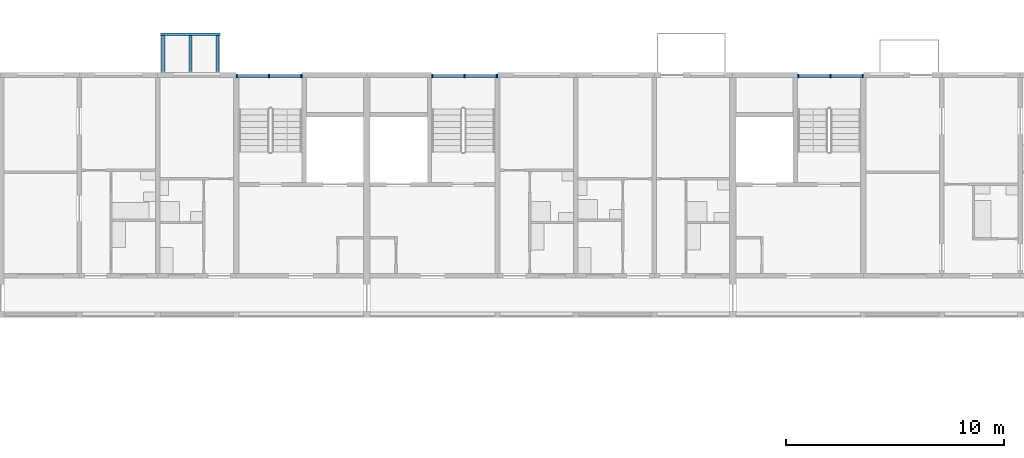
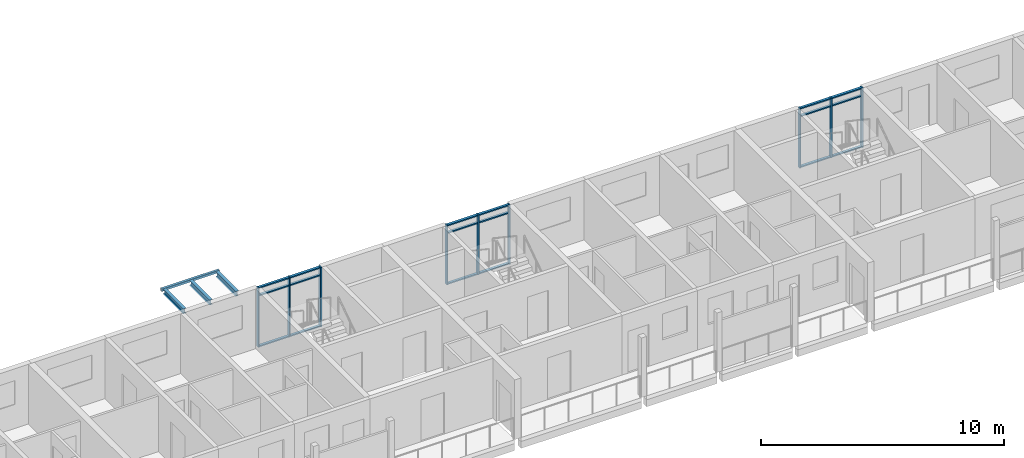
# One storey, part 11 of 99: 27 members, 4 beams, 3 elements without a shape of their own.
"""IFC4 building model written with IfcOpenShell, lengths in metres."""

import ifcopenshell
import ifcopenshell.guid

model = None  # the IFC model being written
_history = None  # IfcOwnerHistory: only IFC2X3 demands one
_inside = {}  # id of a spatial element -> (the spatial element, [elements in it])
_under = {}  # id of a project, library or spatial element -> (it, [spatial elements below it])
_declared = {}  # id of a project -> (the project, [libraries it declares])
_typed = {}  # id of a type object -> (the type object, [elements of that type])
_made_of = {}  # id of a material, layer set ... -> (it, [elements and type objects made of it])


def new_model(schema):
    """Start an empty IFC model of exactly this schema.

    Asked for "IFC4X3", IfcOpenShell would pick the latest addendum, in which some entities
    have other attributes; the version numbers below select the first issue.
    IFC2X3 requires an IfcOwnerHistory on every rooted entity: one is made here for all.
    """
    global model, _history
    if schema == "IFC4X3":
        model = ifcopenshell.file(schema_version=(4, 3, 0, 0))
    else:
        model = ifcopenshell.file(schema=schema)
    _inside.clear()
    _under.clear()
    _declared.clear()
    _typed.clear()
    _made_of.clear()
    _history = None
    if model.schema == "IFC2X3":
        org = make("IfcOrganization", Name="unknown")
        user = make(
            "IfcPersonAndOrganization",
            ThePerson=make("IfcPerson", FamilyName="unknown"),
            TheOrganization=org,
        )
        app = make(
            "IfcApplication",
            ApplicationDeveloper=org,
            Version="unknown",
            ApplicationFullName="unknown",
            ApplicationIdentifier="unknown",
        )
        _history = make(
            "IfcOwnerHistory",
            OwningUser=user,
            OwningApplication=app,
            ChangeAction="ADDED",
            CreationDate=0,
        )
    return model


def make(cls, **values):
    """One entity of the class cls with the attributes given. An attribute that is None is left unset."""
    return model.create_entity(
        cls, **{name: value for name, value in values.items() if value is not None}
    )


def rooted(cls, **values):
    """An entity with a GlobalId (a new one), such as an element, a storey or a relation."""
    return make(cls, GlobalId=ifcopenshell.guid.new(), OwnerHistory=_history, **values)


def si_unit(unit_type, name, prefix=None):
    """IfcSIUnit, for example si_unit("LENGTHUNIT", "METRE", prefix="MILLI")."""
    return make("IfcSIUnit", UnitType=unit_type, Prefix=prefix, Name=name)


def assignment(units):
    """IfcUnitAssignment: the units of a project."""
    return None if units is None else make("IfcUnitAssignment", Units=units)


def point(xyz):
    """IfcCartesianPoint."""
    return None if xyz is None else make("IfcCartesianPoint", Coordinates=xyz)


def direction(xyz):
    """IfcDirection."""
    return None if xyz is None else make("IfcDirection", DirectionRatios=xyz)


def frame(location, z_axis=None, x_axis=None):
    """IfcAxis2Placement3D, a coordinate frame: its origin and axes. An axis left out is left unset."""
    return make(
        "IfcAxis2Placement3D",
        Location=point(location),
        Axis=direction(z_axis),
        RefDirection=direction(x_axis),
    )


def frame_2d(location, x_axis=None):
    """IfcAxis2Placement2D, a coordinate frame in the plane: its origin and x axis."""
    return make(
        "IfcAxis2Placement2D", Location=point(location), RefDirection=direction(x_axis)
    )


def origin():
    """The frame at (0, 0, 0) with its axes left unset."""
    return frame((0.0, 0.0, 0.0))


def origin_2d():
    """The frame at (0, 0) in the plane with its x axis left unset."""
    return frame_2d((0.0, 0.0))


def place(relative_to, where):
    """IfcLocalPlacement: puts the frame where relative to a parent placement (None: the world)."""
    return make(
        "IfcLocalPlacement", PlacementRelTo=relative_to, RelativePlacement=where
    )


def context(
    kind, dimensions, precision=None, world=None, true_north=None, identifier=None
):
    """IfcGeometricRepresentationContext, for example the 3D "Model" context."""
    return make(
        "IfcGeometricRepresentationContext",
        ContextIdentifier=identifier,
        ContextType=kind,
        CoordinateSpaceDimension=dimensions,
        Precision=precision,
        WorldCoordinateSystem=world,
        TrueNorth=true_north,
    )


def subcontext(parent, identifier, kind, view, scale=None):
    """IfcGeometricRepresentationSubContext, for example "Body" below "Model"."""
    return make(
        "IfcGeometricRepresentationSubContext",
        ContextIdentifier=identifier,
        ContextType=kind,
        ParentContext=parent,
        TargetScale=scale,
        TargetView=view,
    )


def project(units=None, contexts=None):
    """IfcProject with its units and contexts."""
    return rooted(
        "IfcProject",
        Name="project",
        RepresentationContexts=contexts,
        UnitsInContext=assignment(units),
    )


def spatial(cls, under=None, at=None, **own):
    """A site, building, storey or space (cls), placed at a placement, below another one or the project."""
    s = rooted(cls, ObjectPlacement=at, **own)
    if under is not None:
        _under.setdefault(under.id(), (under, []))[1].append(s)
    return s


def profile(cls, at=None, kind="AREA", **sizes):
    """A parametric profile (cls). Its sizes go by their IFC names, for example OverallWidth=200.0."""
    return make(cls, ProfileType=kind, Position=at, **sizes)


def rectangle(**sizes):
    """IfcRectangleProfileDef."""
    return profile("IfcRectangleProfileDef", **sizes)


def hollow_rectangle(**sizes):
    """IfcRectangleHollowProfileDef."""
    return profile("IfcRectangleHollowProfileDef", **sizes)


def i_section(**sizes):
    """IfcIShapeProfileDef."""
    return profile("IfcIShapeProfileDef", **sizes)


def extrude(swept, where, along, depth):
    """IfcExtrudedAreaSolid: the profile swept, set in the frame where, extruded along a direction by depth."""
    return make(
        "IfcExtrudedAreaSolid",
        SweptArea=swept,
        Position=where,
        ExtrudedDirection=direction(along),
        Depth=depth,
    )


def shape(context_of_items, identifier, shape_type, items):
    """IfcShapeRepresentation: the items that make up one representation, for example the "Body"."""
    return make(
        "IfcShapeRepresentation",
        ContextOfItems=context_of_items,
        RepresentationIdentifier=identifier,
        RepresentationType=shape_type,
        Items=items,
    )


def material(Name=None, Category=None):
    """IfcMaterial."""
    return make("IfcMaterial", Name=Name, Category=Category)


def material_profile(
    of_material, cross_section, Name=None, Category=None, Priority=None
):
    """IfcMaterialProfile: a cross section and its material."""
    return make(
        "IfcMaterialProfile",
        Name=Name,
        Material=of_material,
        Profile=cross_section,
        Priority=Priority,
        Category=Category,
    )


def profile_set(profiles, Name=None, composite=None):
    """IfcMaterialProfileSet."""
    return make(
        "IfcMaterialProfileSet",
        Name=Name,
        MaterialProfiles=profiles,
        CompositeProfile=composite,
    )


def made_of(thing, what):
    """Note that an element or type object is made of a material, layer set ...; save() writes the relation."""
    if what is not None:
        _made_of.setdefault(what.id(), (what, []))[1].append(thing)
    return thing


def type_object(cls, material=None, **own):
    """A type object (cls), such as IfcWallType, which elements share."""
    return made_of(rooted(cls, **own), material)


def element(
    cls,
    number,
    at=None,
    inside=None,
    cuts=None,
    type_object=None,
    material=None,
    context=None,
    identifier="Body",
    shape_type=None,
    held_by="IfcProductDefinitionShape",
    body=None,
    shapes=None,
    **own,
):
    """One element of the class cls, such as IfcWall. Its Tag is "e" and its number.

    at: its placement. inside: the storey or other place that contains it. cuts: it is an
    opening in that element (IfcRelVoidsElement). A single representation is given by context,
    identifier, shape_type and body (its items); several are given by shapes. held_by: the class
    of the entity that holds the representations. save() writes the other relations.
    """
    e = rooted(cls, Tag="e%d" % number, ObjectPlacement=at, **own)
    if body is not None:
        shapes = [shape(context, identifier, shape_type, body)]
    if shapes is not None:
        e.Representation = make(held_by, Representations=shapes)
    if inside is not None:
        _inside.setdefault(inside.id(), (inside, []))[1].append(e)
    if cuts is not None:
        rooted(
            "IfcRelVoidsElement", RelatingBuildingElement=cuts, RelatedOpeningElement=e
        )
    if type_object is not None:
        _typed.setdefault(type_object.id(), (type_object, []))[1].append(e)
    return made_of(e, material)


def aggregate(whole, parts):
    """IfcRelAggregates: a whole, such as a stair, and the parts it consists of."""
    return rooted("IfcRelAggregates", RelatingObject=whole, RelatedObjects=parts)


def save(model, path):
    """Write the relations noted so far, then the file.

    IfcRelAggregates (storeys below a building ...), IfcRelContainedInSpatialStructure (elements
    in a storey), IfcRelDefinesByType, IfcRelAssociatesMaterial and IfcRelDeclares: one each for
    every whole, place, type object, material and project.
    """
    for whole, parts in _under.values():
        aggregate(whole, parts)
    for where, things in _inside.values():
        rooted(
            "IfcRelContainedInSpatialStructure",
            RelatedElements=things,
            RelatingStructure=where,
        )
    for kind, things in _typed.values():
        rooted("IfcRelDefinesByType", RelatedObjects=things, RelatingType=kind)
    for what, things in _made_of.values():
        rooted("IfcRelAssociatesMaterial", RelatedObjects=things, RelatingMaterial=what)
    for by, libraries in _declared.values():
        rooted("IfcRelDeclares", RelatingContext=by, RelatedDefinitions=libraries)
    model.write(path)


model = new_model("IFC4")

# Units and contexts
model_context = context("Model", 3, precision=1e-05, world=origin(), true_north=direction((0.0, 1.0)))
body_context = subcontext(model_context, "Body", "Model", "MODEL_VIEW")
ifc_project = project(units=[si_unit("LENGTHUNIT", "METRE"), si_unit("AREAUNIT", "SQUARE_METRE"), si_unit("VOLUMEUNIT", "CUBIC_METRE"), si_unit("PLANEANGLEUNIT", "RADIAN"), si_unit("MASSUNIT", "GRAM", prefix="KILO")], contexts=[model_context])

# Site, building, storey
site_placement = place(None, origin())
site = spatial("IfcSite", under=ifc_project, at=site_placement, CompositionType="ELEMENT")
building_placement = place(site_placement, origin())
building = spatial("IfcBuilding", under=site, at=building_placement, Name="Ridgestep Commons", CompositionType="ELEMENT")
storey_placement = place(building_placement, frame((0.0, 0.0, 15.0)))
storey = spatial("IfcBuildingStorey", under=building, at=storey_placement, Name="L05", CompositionType="ELEMENT", Elevation=15.0)

# Curtain wall, members
ifc_material_1 = material(Name="Aluminium 6063-T6 and glass", Category="aluminium")
curtain_wall_type = type_object("IfcCurtainWallType", Name="Curtain wall stair strip", PredefinedType="NOTDEFINED", material=ifc_material_1)
curtain_wall_1_placement = place(storey_placement, origin())
curtain_wall_1 = element("IfcCurtainWall", 1, at=curtain_wall_1_placement, inside=storey, type_object=curtain_wall_type, Name="Curtain wall B4C level 05", PredefinedType="NOTDEFINED")
ifc_material_2 = material(Name="Aluminium 6063-T6", Category="aluminium")
ifc_material_profile_1 = material_profile(ifc_material_2, rectangle(XDim=0.159912109375, YDim=0.06005859375, at=origin_2d()), Name="Mullion 60 x 160")
ifc_profile_set_1 = profile_set([ifc_material_profile_1], Name="Aluminium 6063-T6")
member_type_1 = type_object("IfcMemberType", Name="Mullion 60 x 160", PredefinedType="MULLION", material=ifc_profile_set_1)
member_1_placement = place(storey_placement, frame((73.22998046875, 77.080078125, 0.0), z_axis=(0.0, 0.0, 1.0), x_axis=(0.0, 1.0, 0.0)))
member_1 = element("IfcMember", 2, at=member_1_placement, type_object=member_type_1, Name="CW1 mullion 1", PredefinedType="MULLION", context=body_context, shape_type="SweptSolid", body=[
    extrude(rectangle(XDim=0.159912109375, YDim=0.06005859375, at=origin_2d()), origin(), (0.0, 0.0, 1.0), 3.0),
])
member_2_placement = place(storey_placement, frame((74.71240234375, 77.080078125, 0.0), z_axis=(0.0, 0.0, 1.0), x_axis=(0.0, 1.0, 0.0)))
member_2 = element("IfcMember", 3, at=member_2_placement, type_object=member_type_1, Name="CW1 mullion 2", PredefinedType="MULLION", context=body_context, shape_type="SweptSolid", body=[
    extrude(rectangle(XDim=0.159912109375, YDim=0.06005859375, at=origin_2d()), origin(), (0.0, 0.0, 1.0), 3.0),
])
member_3_placement = place(storey_placement, frame((76.195068359375, 77.080078125, 0.0), z_axis=(0.0, 0.0, 1.0), x_axis=(0.0, 1.0, 0.0)))
member_3 = element("IfcMember", 4, at=member_3_placement, type_object=member_type_1, Name="CW1 mullion 3", PredefinedType="MULLION", context=body_context, shape_type="SweptSolid", body=[
    extrude(rectangle(XDim=0.159912109375, YDim=0.06005859375, at=origin_2d()), origin(), (0.0, 0.0, 1.0), 3.0),
])

curtain_wall_2_placement = place(storey_placement, origin())
curtain_wall_2 = element("IfcCurtainWall", 5, at=curtain_wall_2_placement, inside=storey, type_object=curtain_wall_type, Name="Curtain wall B5C level 05", PredefinedType="NOTDEFINED")
member_4_placement = place(storey_placement, frame((82.205078125, 77.080078125, 0.0), z_axis=(0.0, 0.0, 1.0), x_axis=(0.0, 1.0, 0.0)))
member_4 = element("IfcMember", 6, at=member_4_placement, type_object=member_type_1, Name="CW1 mullion 1", PredefinedType="MULLION", context=body_context, shape_type="SweptSolid", body=[
    extrude(rectangle(XDim=0.159912109375, YDim=0.06005859375, at=origin_2d()), origin(), (0.0, 0.0, 1.0), 3.0),
])
member_5_placement = place(storey_placement, frame((83.6875, 77.080078125, 0.0), z_axis=(0.0, 0.0, 1.0), x_axis=(0.0, 1.0, 0.0)))
member_5 = element("IfcMember", 7, at=member_5_placement, type_object=member_type_1, Name="CW1 mullion 2", PredefinedType="MULLION", context=body_context, shape_type="SweptSolid", body=[
    extrude(rectangle(XDim=0.159912109375, YDim=0.06005859375, at=origin_2d()), origin(), (0.0, 0.0, 1.0), 3.0),
])
member_6_placement = place(storey_placement, frame((85.169921875, 77.080078125, 0.0), z_axis=(0.0, 0.0, 1.0), x_axis=(0.0, 1.0, 0.0)))
member_6 = element("IfcMember", 8, at=member_6_placement, type_object=member_type_1, Name="CW1 mullion 3", PredefinedType="MULLION", context=body_context, shape_type="SweptSolid", body=[
    extrude(rectangle(XDim=0.159912109375, YDim=0.06005859375, at=origin_2d()), origin(), (0.0, 0.0, 1.0), 3.0),
])

curtain_wall_3_placement = place(storey_placement, origin())
curtain_wall_3 = element("IfcCurtainWall", 9, at=curtain_wall_3_placement, inside=storey, type_object=curtain_wall_type, Name="Curtain wall B6C level 05", PredefinedType="NOTDEFINED")
member_7_placement = place(storey_placement, frame((99.0048828125, 77.080078125, 0.0), z_axis=(0.0, 0.0, 1.0), x_axis=(0.0, 1.0, 0.0)))
member_7 = element("IfcMember", 10, at=member_7_placement, type_object=member_type_1, Name="CW1 mullion 1", PredefinedType="MULLION", context=body_context, shape_type="SweptSolid", body=[
    extrude(rectangle(XDim=0.159912109375, YDim=0.06005859375, at=origin_2d()), origin(), (0.0, 0.0, 1.0), 3.0),
])
member_8_placement = place(storey_placement, frame((100.487548828125, 77.080078125, 0.0), z_axis=(0.0, 0.0, 1.0), x_axis=(0.0, 1.0, 0.0)))
member_8 = element("IfcMember", 11, at=member_8_placement, type_object=member_type_1, Name="CW1 mullion 2", PredefinedType="MULLION", context=body_context, shape_type="SweptSolid", body=[
    extrude(rectangle(XDim=0.159912109375, YDim=0.06005859375, at=origin_2d()), origin(), (0.0, 0.0, 1.0), 3.0),
])
member_9_placement = place(storey_placement, frame((101.969970703125, 77.080078125, 0.0), z_axis=(0.0, 0.0, 1.0), x_axis=(0.0, 1.0, 0.0)))
member_9 = element("IfcMember", 12, at=member_9_placement, type_object=member_type_1, Name="CW1 mullion 3", PredefinedType="MULLION", context=body_context, shape_type="SweptSolid", body=[
    extrude(rectangle(XDim=0.159912109375, YDim=0.06005859375, at=origin_2d()), origin(), (0.0, 0.0, 1.0), 3.0),
])

# Member
ifc_material_3 = material(Name="Aluminium 6063-T6", Category="aluminium")
ifc_material_profile_2 = material_profile(ifc_material_3, rectangle(XDim=0.1201171875, YDim=0.06005859375, at=origin_2d()), Name="Transom 60 x 120")
ifc_profile_set_2 = profile_set([ifc_material_profile_2], Name="Aluminium 6063-T6")
member_type_2 = type_object("IfcMemberType", Name="Transom 60 x 120", PredefinedType="USERDEFINED", material=ifc_profile_set_2)
member_10_placement = place(storey_placement, frame((73.260009765625, 77.080078125, 0.030029296875), z_axis=(1.0, 0.0, 0.0), x_axis=(0.0, 1.0, 0.0)))
member_10 = element("IfcMember", 13, at=member_10_placement, type_object=member_type_2, Name="CW1 transom 1.1", ObjectType="TRANSOM", PredefinedType="USERDEFINED", context=body_context, shape_type="SweptSolid", body=[
    extrude(rectangle(XDim=0.1201171875, YDim=0.06005859375, at=origin_2d()), origin(), (0.0, 0.0, 1.0), 1.422607421875),
])

member_11_placement = place(storey_placement, frame((73.260009765625, 77.080078125, 2.590087890625), z_axis=(1.0, 0.0, 0.0), x_axis=(0.0, 1.0, 0.0)))
member_11 = element("IfcMember", 14, at=member_11_placement, type_object=member_type_2, Name="CW1 transom 1.2", ObjectType="TRANSOM", PredefinedType="USERDEFINED", context=body_context, shape_type="SweptSolid", body=[
    extrude(rectangle(XDim=0.1201171875, YDim=0.06005859375, at=origin_2d()), origin(), (0.0, 0.0, 1.0), 1.422607421875),
])

member_12_placement = place(storey_placement, frame((73.260009765625, 77.080078125, 2.969970703125), z_axis=(1.0, 0.0, 0.0), x_axis=(0.0, 1.0, 0.0)))
member_12 = element("IfcMember", 15, at=member_12_placement, type_object=member_type_2, Name="CW1 transom 1.3", ObjectType="TRANSOM", PredefinedType="USERDEFINED", context=body_context, shape_type="SweptSolid", body=[
    extrude(rectangle(XDim=0.1201171875, YDim=0.06005859375, at=origin_2d()), origin(), (0.0, 0.0, 1.0), 1.422607421875),
])

member_13_placement = place(storey_placement, frame((74.742431640625, 77.080078125, 0.030029296875), z_axis=(1.0, 0.0, 0.0), x_axis=(0.0, 1.0, 0.0)))
member_13 = element("IfcMember", 16, at=member_13_placement, type_object=member_type_2, Name="CW1 transom 2.1", ObjectType="TRANSOM", PredefinedType="USERDEFINED", context=body_context, shape_type="SweptSolid", body=[
    extrude(rectangle(XDim=0.1201171875, YDim=0.06005859375, at=origin_2d()), origin(), (0.0, 0.0, 1.0), 1.422607421875),
])

member_14_placement = place(storey_placement, frame((74.742431640625, 77.080078125, 2.590087890625), z_axis=(1.0, 0.0, 0.0), x_axis=(0.0, 1.0, 0.0)))
member_14 = element("IfcMember", 17, at=member_14_placement, type_object=member_type_2, Name="CW1 transom 2.2", ObjectType="TRANSOM", PredefinedType="USERDEFINED", context=body_context, shape_type="SweptSolid", body=[
    extrude(rectangle(XDim=0.1201171875, YDim=0.06005859375, at=origin_2d()), origin(), (0.0, 0.0, 1.0), 1.422607421875),
])

member_15_placement = place(storey_placement, frame((74.742431640625, 77.080078125, 2.969970703125), z_axis=(1.0, 0.0, 0.0), x_axis=(0.0, 1.0, 0.0)))
member_15 = element("IfcMember", 18, at=member_15_placement, type_object=member_type_2, Name="CW1 transom 2.3", ObjectType="TRANSOM", PredefinedType="USERDEFINED", context=body_context, shape_type="SweptSolid", body=[
    extrude(rectangle(XDim=0.1201171875, YDim=0.06005859375, at=origin_2d()), origin(), (0.0, 0.0, 1.0), 1.422607421875),
])

aggregate(curtain_wall_1, [member_1, member_2, member_3, member_10, member_11, member_12, member_13, member_14, member_15])

member_16_placement = place(storey_placement, frame((82.235107421875, 77.080078125, 0.030029296875), z_axis=(1.0, 0.0, 0.0), x_axis=(0.0, 1.0, 0.0)))
member_16 = element("IfcMember", 19, at=member_16_placement, type_object=member_type_2, Name="CW1 transom 1.1", ObjectType="TRANSOM", PredefinedType="USERDEFINED", context=body_context, shape_type="SweptSolid", body=[
    extrude(rectangle(XDim=0.1201171875, YDim=0.06005859375, at=origin_2d()), origin(), (0.0, 0.0, 1.0), 1.42236328125),
])

member_17_placement = place(storey_placement, frame((82.235107421875, 77.080078125, 2.590087890625), z_axis=(1.0, 0.0, 0.0), x_axis=(0.0, 1.0, 0.0)))
member_17 = element("IfcMember", 20, at=member_17_placement, type_object=member_type_2, Name="CW1 transom 1.2", ObjectType="TRANSOM", PredefinedType="USERDEFINED", context=body_context, shape_type="SweptSolid", body=[
    extrude(rectangle(XDim=0.1201171875, YDim=0.06005859375, at=origin_2d()), origin(), (0.0, 0.0, 1.0), 1.42236328125),
])

member_18_placement = place(storey_placement, frame((82.235107421875, 77.080078125, 2.969970703125), z_axis=(1.0, 0.0, 0.0), x_axis=(0.0, 1.0, 0.0)))
member_18 = element("IfcMember", 21, at=member_18_placement, type_object=member_type_2, Name="CW1 transom 1.3", ObjectType="TRANSOM", PredefinedType="USERDEFINED", context=body_context, shape_type="SweptSolid", body=[
    extrude(rectangle(XDim=0.1201171875, YDim=0.06005859375, at=origin_2d()), origin(), (0.0, 0.0, 1.0), 1.42236328125),
])

member_19_placement = place(storey_placement, frame((83.717529296875, 77.080078125, 0.030029296875), z_axis=(1.0, 0.0, 0.0), x_axis=(0.0, 1.0, 0.0)))
member_19 = element("IfcMember", 22, at=member_19_placement, type_object=member_type_2, Name="CW1 transom 2.1", ObjectType="TRANSOM", PredefinedType="USERDEFINED", context=body_context, shape_type="SweptSolid", body=[
    extrude(rectangle(XDim=0.1201171875, YDim=0.06005859375, at=origin_2d()), origin(), (0.0, 0.0, 1.0), 1.42236328125),
])

member_20_placement = place(storey_placement, frame((83.717529296875, 77.080078125, 2.590087890625), z_axis=(1.0, 0.0, 0.0), x_axis=(0.0, 1.0, 0.0)))
member_20 = element("IfcMember", 23, at=member_20_placement, type_object=member_type_2, Name="CW1 transom 2.2", ObjectType="TRANSOM", PredefinedType="USERDEFINED", context=body_context, shape_type="SweptSolid", body=[
    extrude(rectangle(XDim=0.1201171875, YDim=0.06005859375, at=origin_2d()), origin(), (0.0, 0.0, 1.0), 1.42236328125),
])

member_21_placement = place(storey_placement, frame((83.717529296875, 77.080078125, 2.969970703125), z_axis=(1.0, 0.0, 0.0), x_axis=(0.0, 1.0, 0.0)))
member_21 = element("IfcMember", 24, at=member_21_placement, type_object=member_type_2, Name="CW1 transom 2.3", ObjectType="TRANSOM", PredefinedType="USERDEFINED", context=body_context, shape_type="SweptSolid", body=[
    extrude(rectangle(XDim=0.1201171875, YDim=0.06005859375, at=origin_2d()), origin(), (0.0, 0.0, 1.0), 1.42236328125),
])

aggregate(curtain_wall_2, [member_4, member_5, member_6, member_16, member_17, member_18, member_19, member_20, member_21])

member_22_placement = place(storey_placement, frame((99.034912109375, 77.080078125, 0.030029296875), z_axis=(1.0, 0.0, 0.0), x_axis=(0.0, 1.0, 0.0)))
member_22 = element("IfcMember", 25, at=member_22_placement, type_object=member_type_2, Name="CW1 transom 1.1", ObjectType="TRANSOM", PredefinedType="USERDEFINED", context=body_context, shape_type="SweptSolid", body=[
    extrude(rectangle(XDim=0.1201171875, YDim=0.06005859375, at=origin_2d()), origin(), (0.0, 0.0, 1.0), 1.422607421875),
])

member_23_placement = place(storey_placement, frame((99.034912109375, 77.080078125, 2.590087890625), z_axis=(1.0, 0.0, 0.0), x_axis=(0.0, 1.0, 0.0)))
member_23 = element("IfcMember", 26, at=member_23_placement, type_object=member_type_2, Name="CW1 transom 1.2", ObjectType="TRANSOM", PredefinedType="USERDEFINED", context=body_context, shape_type="SweptSolid", body=[
    extrude(rectangle(XDim=0.1201171875, YDim=0.06005859375, at=origin_2d()), origin(), (0.0, 0.0, 1.0), 1.422607421875),
])

member_24_placement = place(storey_placement, frame((99.034912109375, 77.080078125, 2.969970703125), z_axis=(1.0, 0.0, 0.0), x_axis=(0.0, 1.0, 0.0)))
member_24 = element("IfcMember", 27, at=member_24_placement, type_object=member_type_2, Name="CW1 transom 1.3", ObjectType="TRANSOM", PredefinedType="USERDEFINED", context=body_context, shape_type="SweptSolid", body=[
    extrude(rectangle(XDim=0.1201171875, YDim=0.06005859375, at=origin_2d()), origin(), (0.0, 0.0, 1.0), 1.422607421875),
])

member_25_placement = place(storey_placement, frame((100.517578125, 77.080078125, 0.030029296875), z_axis=(1.0, 0.0, 0.0), x_axis=(0.0, 1.0, 0.0)))
member_25 = element("IfcMember", 28, at=member_25_placement, type_object=member_type_2, Name="CW1 transom 2.1", ObjectType="TRANSOM", PredefinedType="USERDEFINED", context=body_context, shape_type="SweptSolid", body=[
    extrude(rectangle(XDim=0.1201171875, YDim=0.06005859375, at=origin_2d()), origin(), (0.0, 0.0, 1.0), 1.42236328125),
])

member_26_placement = place(storey_placement, frame((100.517578125, 77.080078125, 2.590087890625), z_axis=(1.0, 0.0, 0.0), x_axis=(0.0, 1.0, 0.0)))
member_26 = element("IfcMember", 29, at=member_26_placement, type_object=member_type_2, Name="CW1 transom 2.2", ObjectType="TRANSOM", PredefinedType="USERDEFINED", context=body_context, shape_type="SweptSolid", body=[
    extrude(rectangle(XDim=0.1201171875, YDim=0.06005859375, at=origin_2d()), origin(), (0.0, 0.0, 1.0), 1.42236328125),
])

member_27_placement = place(storey_placement, frame((100.517578125, 77.080078125, 2.969970703125), z_axis=(1.0, 0.0, 0.0), x_axis=(0.0, 1.0, 0.0)))
member_27 = element("IfcMember", 30, at=member_27_placement, type_object=member_type_2, Name="CW1 transom 2.3", ObjectType="TRANSOM", PredefinedType="USERDEFINED", context=body_context, shape_type="SweptSolid", body=[
    extrude(rectangle(XDim=0.1201171875, YDim=0.06005859375, at=origin_2d()), origin(), (0.0, 0.0, 1.0), 1.42236328125),
])

aggregate(curtain_wall_3, [member_7, member_8, member_9, member_22, member_23, member_24, member_25, member_26, member_27])

# Beams
ifc_material_4 = material(Name="Weathering steel S355J2W", Category="steel")
ifc_material_profile_3 = material_profile(ifc_material_4, i_section(OverallWidth=0.14599609375, OverallDepth=0.25146484375, WebThickness=0.006103515625, FlangeThickness=0.008544921875, FilletRadius=0.007568359375, at=origin_2d()), Name="UB 254x146x31")
ifc_profile_set_3 = profile_set([ifc_material_profile_3], Name="Weathering steel S355J2W")
beam_type_1 = type_object("IfcBeamType", Name="Tray arm UB 254x146x31", PredefinedType="BEAM", material=ifc_profile_set_3)
for number, where, z_axis, x_axis, name in (
    (31, (69.85009765625, 77.264892578125, 2.8642578125), (0.0, 1.0, 0.0), (-1.0, 0.0, 0.0), "Tray arm B4T3-06.1"),
    (32, (71.10009765625, 77.264892578125, 2.8642578125), (0.0, 1.0, 0.0), (-1.0, 0.0, 0.0), "Tray arm B4T3-06.2"),
    (33, (72.35009765625, 77.264892578125, 2.8642578125), (0.0, 1.0, 0.0), (-1.0, 0.0, 0.0), "Tray arm B4T3-06.3"),
):
    element("IfcBeam", number, at=place(storey_placement, frame(where, z_axis=z_axis, x_axis=x_axis)), inside=storey, type_object=beam_type_1, Name=name, PredefinedType="BEAM", context=body_context, shape_type="SweptSolid", body=[
        extrude(i_section(OverallWidth=0.14599609375, OverallDepth=0.25146484375, WebThickness=0.006103515625, FlangeThickness=0.008544921875, FilletRadius=0.007568359375, at=origin_2d()), origin(), (0.0, 0.0, 1.0), 1.6650390625),
    ])
ifc_material_5 = material(Name="Weathering steel S355J2W", Category="steel")
ifc_material_profile_4 = material_profile(ifc_material_5, hollow_rectangle(XDim=0.1201171875, YDim=0.1201171875, WallThickness=0.00634765625, InnerFilletRadius=0.00634765625, OuterFilletRadius=0.009521484375, at=origin_2d()), Name="SHS 120x120x6.3")
ifc_profile_set_4 = profile_set([ifc_material_profile_4], Name="Weathering steel S355J2W")
beam_type_2 = type_object("IfcBeamType", Name="Tray edge member SHS 120x120x6.3", PredefinedType="BEAM", material=ifc_profile_set_4)
beam_placement = place(storey_placement, frame((69.72998046875, 78.989990234375, 2.929931640625), z_axis=(1.0, 0.0, 0.0), x_axis=(0.0, 0.0, 1.0)))
element("IfcBeam", 34, at=beam_placement, inside=storey, type_object=beam_type_2, Name="Tray edge member B4T3-06", PredefinedType="BEAM", context=body_context, shape_type="SweptSolid", body=[
    extrude(hollow_rectangle(XDim=0.1201171875, YDim=0.1201171875, WallThickness=0.00634765625, InnerFilletRadius=0.00634765625, OuterFilletRadius=0.009521484375, at=origin_2d()), origin(), (0.0, 0.0, 1.0), 2.739990234375),
])

save(model, "model.ifc")
